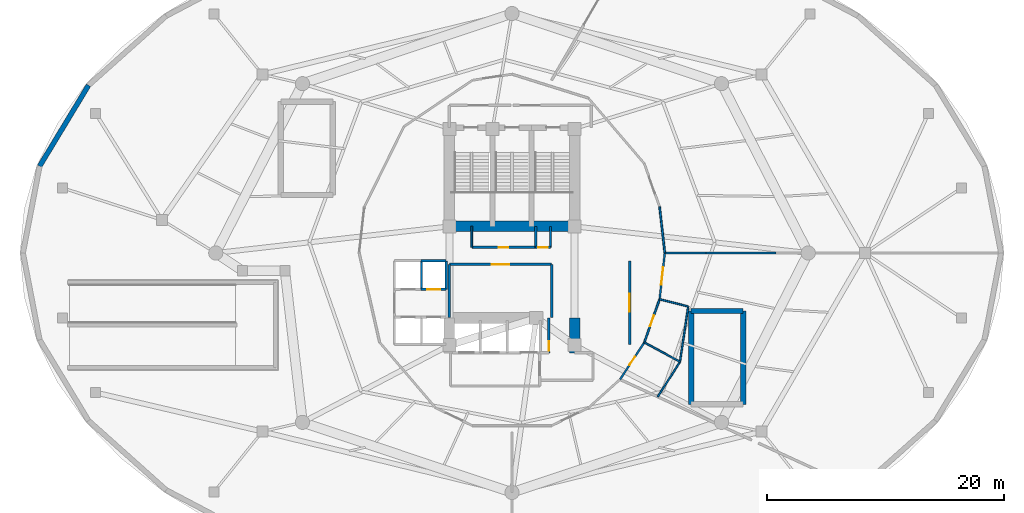
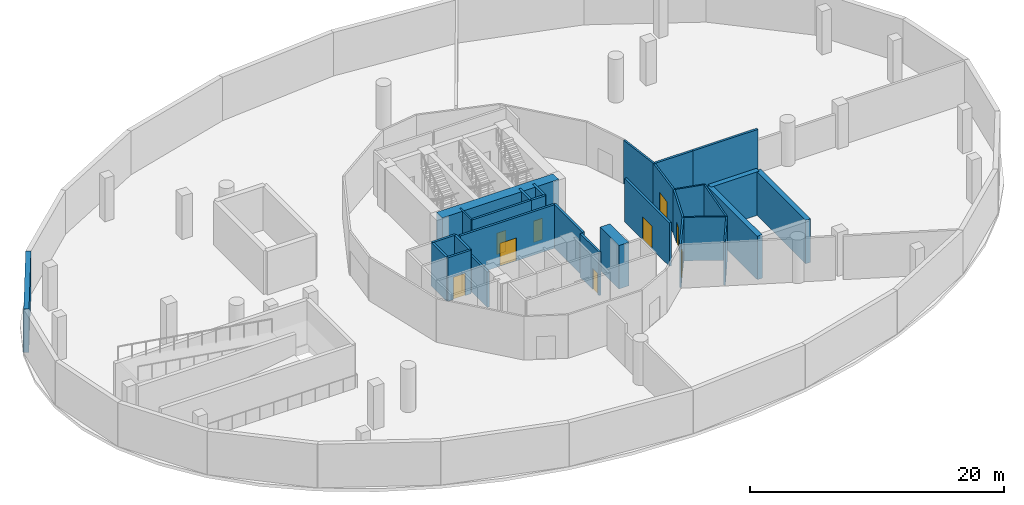
# One storey, part 4 of 8: 30 walls, 9 doors, 9 openings.
"""IFC4 building model written with IfcOpenShell, lengths in metres."""

from ifc_helpers import new_model, si_unit, direction, frame, frame_2d, origin, place, context, subcontext, project, spatial, rectangle, extrude, material, layer, layer_set, type_object, element, fill, save


model = new_model("IFC4")

# Units and contexts
model_context = context("Model", 3, precision=1e-05, world=origin(), true_north=direction((0.0, 1.0)))
body_context = subcontext(model_context, "Body", "Model", "MODEL_VIEW")
ifc_project = project(units=[si_unit("LENGTHUNIT", "METRE"), si_unit("AREAUNIT", "SQUARE_METRE"), si_unit("VOLUMEUNIT", "CUBIC_METRE"), si_unit("PLANEANGLEUNIT", "RADIAN"), si_unit("MASSUNIT", "GRAM", prefix="KILO")], contexts=[model_context])

# Site, building, storey
site_placement = place(None, origin())
site = spatial("IfcSite", under=ifc_project, at=site_placement, CompositionType="ELEMENT")
building_placement = place(site_placement, origin())
building = spatial("IfcBuilding", under=site, at=building_placement, Name="Nuhasar Tower", CompositionType="ELEMENT")
storey_placement = place(building_placement, frame((0.0, 0.0, -4.5)))
storey = spatial("IfcBuildingStorey", under=building, at=storey_placement, Name="B1", CompositionType="ELEMENT", Elevation=-4.5)

# Walls
ifc_material_1 = material(Name="Concrete C50/60", Category="concrete")
ifc_layer_1 = layer(ifc_material_1, 0.449951171875)
ifc_layer_set_1 = layer_set([ifc_layer_1], Name="Concrete C50/60")
wall_type_1 = type_object("IfcWallType", Name="WL-CORE-450", PredefinedType="SHEAR", material=ifc_layer_set_1)
wall_1_placement = place(storey_placement, frame((54.14990234375, 21.89990234375, 0.0), z_axis=(0.0, 0.0, 1.0), x_axis=(1.0, 0.0, 0.0)))
element("IfcWall", 1, at=wall_1_placement, inside=storey, type_object=wall_type_1, Name="B1 Stairwell Shear Wall ST-05-N", PredefinedType="SHEAR", context=body_context, shape_type="SweptSolid", body=[
    extrude(rectangle(XDim=4.400146484375, YDim=0.449951171875, at=frame_2d((2.2001953125, 0.0))), origin(), (0.0, 0.0, 1.0), 4.179931640625),
])
for number, where, z_axis, x_axis, name in (
    (2, (54.14990234375, 14.0, 0.0), (0.0, 0.0, 1.0), (0.0, 1.0, 0.0), "B1 Stairwell Shear Wall ST-05-W"),
    (3, (58.550048828125, 14.0, 0.0), (0.0, 0.0, 1.0), (0.0, 1.0, 0.0), "B1 Stairwell Shear Wall ST-05-E"),
):
    element("IfcWall", number, at=place(storey_placement, frame(where, z_axis=z_axis, x_axis=x_axis)), inside=storey, type_object=wall_type_1, Name=name, PredefinedType="SHEAR", context=body_context, shape_type="SweptSolid", body=[
        extrude(rectangle(XDim=7.89990234375, YDim=0.449951171875, at=frame_2d((3.949951171875, 0.0))), origin(), (0.0, 0.0, 1.0), 4.179931640625),
    ])
ifc_material_2 = material(Name="Concrete C80/95", Category="concrete")
ifc_layer_2 = layer(ifc_material_2, 0.89990234375)
ifc_layer_set_2 = layer_set([ifc_layer_2], Name="Concrete C80/95")
wall_type_2 = type_object("IfcWallType", Name="WL-CORE-900", PredefinedType="SHEAR", material=ifc_layer_set_2)
wall_2_placement = place(storey_placement, frame((44.300048828125, 18.35009765625, 0.0), z_axis=(0.0, 0.0, 1.0), x_axis=(0.0, 1.0, 0.0)))
element("IfcWall", 4, at=wall_2_placement, inside=storey, type_object=wall_type_2, Name="B1 Core Shear Wall CW-SE CW-900", PredefinedType="SHEAR", context=body_context, shape_type="SweptSolid", body=[
    extrude(rectangle(XDim=2.949951171875, YDim=0.89990234375, at=frame_2d((1.47509765625, 0.0))), origin(), (0.0, 0.0, 1.0), 4.179931640625),
])
wall_3_placement = place(storey_placement, frame((33.699951171875, 29.050048828125, 0.0), z_axis=(0.0, 0.0, 1.0), x_axis=(1.0, 0.0, 0.0)))
element("IfcWall", 5, at=wall_3_placement, inside=storey, type_object=wall_type_2, Name="B1 Core Shear Wall CW-N1 CW-900", PredefinedType="SHEAR", context=body_context, shape_type="SweptSolid", body=[
    extrude(rectangle(XDim=10.60009765625, YDim=0.89990234375, at=frame_2d((5.300048828125, 0.0))), origin(), (0.0, 0.0, 1.0), 4.179931640625),
])
ifc_material_3 = material(Name="Gypsum Board", Category="gypsum")
ifc_layer_3 = layer(ifc_material_3, 0.159912109375)
ifc_layer_set_3 = layer_set([ifc_layer_3], Name="Gypsum Board")
wall_type_3 = type_object("IfcWallType", Name="WL-CORR-160", PredefinedType="PARTITIONING", material=ifc_layer_set_3)
wall_4_placement = place(storey_placement, frame((51.919921875, 26.800048828125, 0.0), z_axis=(0.0, 0.0, 1.0), x_axis=(-0.111731247657, 0.993738460711, 0.0)))
element("IfcWall", 6, at=wall_4_placement, inside=storey, type_object=wall_type_3, Name="B1 Interior Partition CORR-00", PredefinedType="PARTITIONING", context=body_context, shape_type="SweptSolid", body=[
    extrude(rectangle(XDim=3.9375, YDim=0.159912109375, at=frame_2d((1.96875, 0.0))), origin(), (0.0, 0.0, 1.0), 4.179931640625),
])

# Wall, opening, door
wall_5_placement = place(storey_placement, frame((50.18896484375, 19.239990234375, 0.0), z_axis=(0.0, 0.0, 1.0), x_axis=(-0.548318837904, -0.836269365694, 0.0)))
wall_5 = element("IfcWall", 7, at=wall_5_placement, inside=storey, type_object=wall_type_3, Name="B1 Interior Partition CORR-42", PredefinedType="PARTITIONING", context=body_context, shape_type="SweptSolid", body=[
    extrude(rectangle(XDim=3.744140625, YDim=0.159912109375, at=frame_2d((1.8720703125, 0.0))), origin(), (0.0, 0.0, 1.0), 4.179931640625),
])
opening_1_placement = place(wall_5_placement, frame((1.447021484375, 0.0, 0.0)))
opening_1 = element("IfcOpeningElement", 8, at=opening_1_placement, cuts=wall_5, Name="Opening DB-01", PredefinedType="OPENING", context=body_context, shape_type="SweptSolid", body=[
    extrude(rectangle(XDim=0.85009765625, YDim=2.10009765625, at=frame_2d((0.425048828125, 1.050048828125))), frame((0.0, 0.08984375, 0.0), z_axis=(0.0, -1.0, 0.0), x_axis=(1.0, 0.0, 0.0)), (0.0, 0.0, 1.0), 0.179931640625),
])
ifc_material_4 = material(Name="Timber Oak", Category="wood")
door_type_1 = type_object("IfcDoorType", Name="DR-BATH-850", OperationType="NOTDEFINED", PredefinedType="DOOR", material=ifc_material_4)
door_1_placement = place(opening_1_placement, origin())
door_1 = element("IfcDoor", 9, at=door_1_placement, inside=storey, type_object=door_type_1, Name="B1 Staff Restroom Door", OperationType="SINGLE_SWING_RIGHT", OverallHeight=2.10009765625, OverallWidth=0.85009765625, PredefinedType="DOOR", context=body_context, shape_type="SweptSolid", body=[
    extrude(rectangle(XDim=0.85009765625, YDim=2.10009765625, at=frame_2d((0.425048828125, 1.050048828125))), frame((0.0, 0.02490234375, 0.0), z_axis=(0.0, -1.0, 0.0), x_axis=(1.0, 0.0, 0.0)), (0.0, 0.0, 1.0), 0.050048828125),
])
fill(opening_1, door_1)

wall_6_placement = place(storey_placement, frame((51.47998046875, 22.886962890625, 0.0), z_axis=(0.0, 0.0, 1.0), x_axis=(-0.333704620558, -0.942677689467, 0.0)))
wall_6 = element("IfcWall", 10, at=wall_6_placement, inside=storey, type_object=wall_type_3, Name="B1 Interior Partition CORR-44", PredefinedType="PARTITIONING", context=body_context, shape_type="SweptSolid", body=[
    extrude(rectangle(XDim=3.86865234375, YDim=0.159912109375, at=frame_2d((1.934326171875, 0.0))), origin(), (0.0, 0.0, 1.0), 4.179931640625),
])
opening_2_placement = place(wall_6_placement, frame((1.458984375, 0.0, 0.0)))
opening_2 = element("IfcOpeningElement", 11, at=opening_2_placement, cuts=wall_6, Name="Opening DA-01", PredefinedType="OPENING", context=body_context, shape_type="SweptSolid", body=[
    extrude(rectangle(XDim=0.949951171875, YDim=2.10009765625, at=frame_2d((0.47509765625, 1.050048828125))), frame((0.0, 0.08984375, 0.0), z_axis=(0.0, -1.0, 0.0), x_axis=(1.0, 0.0, 0.0)), (0.0, 0.0, 1.0), 0.179931640625),
])
door_type_2 = type_object("IfcDoorType", Name="DR-ACCWC-950", OperationType="NOTDEFINED", PredefinedType="DOOR", material=ifc_material_4)
door_2_placement = place(opening_2_placement, origin())
door_2 = element("IfcDoor", 12, at=door_2_placement, inside=storey, type_object=door_type_2, Name="B1 Staff Accessible WC Door", OperationType="SINGLE_SWING_LEFT", OverallHeight=2.10009765625, OverallWidth=0.949951171875, PredefinedType="DOOR", context=body_context, shape_type="SweptSolid", body=[
    extrude(rectangle(XDim=0.949951171875, YDim=2.10009765625, at=frame_2d((0.47509765625, 1.050048828125))), frame((0.0, 0.02490234375, 0.0), z_axis=(0.0, -1.0, 0.0), x_axis=(1.0, 0.0, 0.0)), (0.0, 0.0, 1.0), 0.050048828125),
])
fill(opening_2, door_2)

wall_7_placement = place(storey_placement, frame((51.919921875, 26.800048828125, 0.0), z_axis=(0.0, 0.0, 1.0), x_axis=(-0.111724363671, -0.99373923469, 0.0)))
wall_7 = element("IfcWall", 13, at=wall_7_placement, inside=storey, type_object=wall_type_3, Name="B1 Interior Partition CORR-46", PredefinedType="PARTITIONING", context=body_context, shape_type="SweptSolid", body=[
    extrude(rectangle(XDim=3.937744140625, YDim=0.159912109375, at=frame_2d((1.96875, 0.0))), origin(), (0.0, 0.0, 1.0), 4.179931640625),
])
opening_3_placement = place(wall_7_placement, frame((1.218994140625, 0.0, 0.0)))
opening_3 = element("IfcOpeningElement", 14, at=opening_3_placement, cuts=wall_7, Name="Opening DP-01", PredefinedType="OPENING", context=body_context, shape_type="SweptSolid", body=[
    extrude(rectangle(XDim=1.5, YDim=2.199951171875, at=frame_2d((0.75, 1.10009765625))), frame((0.0, 0.08984375, 0.0), z_axis=(0.0, -1.0, 0.0), x_axis=(1.0, 0.0, 0.0)), (0.0, 0.0, 1.0), 0.179931640625),
])
ifc_material_5 = material(Name="Steel S355", Category="steel")
door_type_3 = type_object("IfcDoorType", Name="DR-PLANT-FD120-1500", OperationType="DOUBLE_DOOR_SINGLE_SWING", PredefinedType="DOOR", material=ifc_material_5)
door_3_placement = place(opening_3_placement, origin())
door_3 = element("IfcDoor", 15, at=door_3_placement, inside=storey, type_object=door_type_3, Name="B1 Cycle Mobility Store Door", OperationType="DOUBLE_DOOR_SINGLE_SWING", OverallHeight=2.199951171875, OverallWidth=1.5, PredefinedType="DOOR", context=body_context, shape_type="SweptSolid", body=[
    extrude(rectangle(XDim=1.5, YDim=2.199951171875, at=frame_2d((0.75, 1.10009765625))), frame((0.0, 0.02490234375, 0.0), z_axis=(0.0, -1.0, 0.0), x_axis=(1.0, 0.0, 0.0)), (0.0, 0.0, 1.0), 0.050048828125),
])
fill(opening_3, door_3)

# Wall
ifc_layer_4 = layer(ifc_material_1, 0.419921875)
ifc_layer_set_4 = layer_set([ifc_layer_4], Name="Concrete C50/60")
wall_type_4 = type_object("IfcWallType", Name="WL-DIAPH-420", PredefinedType="SHEAR", material=ifc_layer_set_4)
wall_8_placement = place(storey_placement, frame((3.18994140625, 40.97509765625, 0.0), z_axis=(0.0, 0.0, 1.0), x_axis=(-0.517122636798, -0.85591131463, 0.0)))
element("IfcWall", 16, at=wall_8_placement, inside=storey, type_object=wall_type_4, Name="B1 Perimeter Diaphragm Retaining Wall 11 DW-420", PredefinedType="SHEAR", context=body_context, shape_type="SweptSolid", body=[
    extrude(rectangle(XDim=7.98828125, YDim=0.419921875, at=frame_2d((3.994140625, 0.0))), origin(), (0.0, 0.0, 1.0), 4.179931640625),
])

# Wall, opening, door
ifc_material_6 = material(Name="Concrete C45/55", Category="concrete")
ifc_layer_5 = layer(ifc_material_6, 0.199951171875)
ifc_layer_set_5 = layer_set([ifc_layer_5], Name="Concrete C45/55")
wall_type_5 = type_object("IfcWallType", Name="WL-LOBBY-200", PredefinedType="SOLIDWALL", material=ifc_layer_set_5)
wall_9_placement = place(storey_placement, frame((48.949951171875, 19.050048828125, 0.0), z_axis=(0.0, 0.0, 1.0), x_axis=(0.0, 1.0, 0.0)))
wall_9 = element("IfcWall", 17, at=wall_9_placement, inside=storey, type_object=wall_type_5, Name="B1 Interior Partition MEP-BE-E", PredefinedType="SOLIDWALL", context=body_context, shape_type="SweptSolid", body=[
    extrude(rectangle(XDim=7.070068359375, YDim=0.199951171875, at=frame_2d((3.53515625, 0.0))), origin(), (0.0, 0.0, 1.0), 4.179931640625),
])
opening_4_placement = place(wall_9_placement, frame((2.784912109375, 0.0, 0.0)))
opening_4 = element("IfcOpeningElement", 18, at=opening_4_placement, cuts=wall_9, Name="Opening DP-01", PredefinedType="OPENING", context=body_context, shape_type="SweptSolid", body=[
    extrude(rectangle(XDim=1.5, YDim=2.199951171875, at=frame_2d((0.75, 1.10009765625))), frame((0.0, 0.10986328125, 0.0), z_axis=(0.0, -1.0, 0.0), x_axis=(1.0, 0.0, 0.0)), (0.0, 0.0, 1.0), 0.219970703125),
])
door_4_placement = place(opening_4_placement, origin())
door_4 = element("IfcDoor", 19, at=door_4_placement, inside=storey, type_object=door_type_3, Name="B1 Pump Room Door", OperationType="DOUBLE_DOOR_SINGLE_SWING", OverallHeight=2.199951171875, OverallWidth=1.5, PredefinedType="DOOR", context=body_context, shape_type="SweptSolid", body=[
    extrude(rectangle(XDim=1.5, YDim=2.199951171875, at=frame_2d((0.75, 1.10009765625))), frame((0.0, 0.02490234375, 0.0), z_axis=(0.0, -1.0, 0.0), x_axis=(1.0, 0.0, 0.0)), (0.0, 0.0, 1.0), 0.050048828125),
])
fill(opening_4, door_4)

# Walls
wall_10_placement = place(storey_placement, frame((33.699951171875, 21.35009765625, 0.0), z_axis=(0.0, 0.0, 1.0), x_axis=(0.0, 1.0, 0.0)))
element("IfcWall", 20, at=wall_10_placement, inside=storey, type_object=wall_type_5, Name="B1 Interior Partition BSVC-W", PredefinedType="SOLIDWALL", context=body_context, shape_type="SweptSolid", body=[
    extrude(rectangle(XDim=4.489990234375, YDim=0.199951171875, at=frame_2d((2.2451171875, 0.0))), origin(), (0.0, 0.0, 1.0), 3.39990234375),
])
wall_11_placement = place(storey_placement, frame((42.35009765625, 21.35009765625, 0.0), z_axis=(0.0, 0.0, 1.0), x_axis=(0.0, 1.0, 0.0)))
element("IfcWall", 21, at=wall_11_placement, inside=storey, type_object=wall_type_5, Name="B1 Interior Partition BSVC-E", PredefinedType="SOLIDWALL", context=body_context, shape_type="SweptSolid", body=[
    extrude(rectangle(XDim=4.489990234375, YDim=0.199951171875, at=frame_2d((2.2451171875, 0.0))), origin(), (0.0, 0.0, 1.0), 4.179931640625),
])

# Wall, opening, door
wall_12_placement = place(storey_placement, frame((42.35009765625, 25.840087890625, 0.0), z_axis=(0.0, 0.0, 1.0), x_axis=(-1.0, 0.0, 0.0)))
wall_12 = element("IfcWall", 22, at=wall_12_placement, inside=storey, type_object=wall_type_5, Name="B1 Interior Partition BSVC-N", PredefinedType="SOLIDWALL", context=body_context, shape_type="SweptSolid", body=[
    extrude(rectangle(XDim=8.650146484375, YDim=0.199951171875, at=frame_2d((4.3251953125, 0.0))), origin(), (0.0, 0.0, 1.0), 4.179931640625),
])
opening_5_placement = place(wall_12_placement, frame((3.574951171875, 0.0, 0.0)))
opening_5 = element("IfcOpeningElement", 23, at=opening_5_placement, cuts=wall_12, Name="Opening DP-01", PredefinedType="OPENING", context=body_context, shape_type="SweptSolid", body=[
    extrude(rectangle(XDim=1.5, YDim=2.199951171875, at=frame_2d((0.75, 1.10009765625))), frame((0.0, 0.10986328125, 0.0), z_axis=(0.0, -1.0, 0.0), x_axis=(1.0, 0.0, 0.0)), (0.0, 0.0, 1.0), 0.219970703125),
])
door_5_placement = place(opening_5_placement, origin())
door_5 = element("IfcDoor", 24, at=door_5_placement, inside=storey, type_object=door_type_3, Name="B1 Switchroom Door", OperationType="DOUBLE_DOOR_SINGLE_SWING", OverallHeight=2.199951171875, OverallWidth=1.5, PredefinedType="DOOR", context=body_context, shape_type="SweptSolid", body=[
    extrude(rectangle(XDim=1.5, YDim=2.199951171875, at=frame_2d((0.75, 1.10009765625))), frame((0.0, 0.02490234375, 0.0), z_axis=(0.0, -1.0, 0.0), x_axis=(1.0, 0.0, 0.0)), (0.0, 0.0, 1.0), 0.050048828125),
])
fill(opening_5, door_5)

wall_13_placement = place(storey_placement, frame((35.60009765625, 27.280029296875, 0.0), z_axis=(0.0, 0.0, 1.0), x_axis=(1.0, 0.0, 0.0)))
wall_13 = element("IfcWall", 25, at=wall_13_placement, inside=storey, type_object=wall_type_5, Name="B1 Interior Partition BSVN-S", PredefinedType="SOLIDWALL", context=body_context, shape_type="SweptSolid", body=[
    extrude(rectangle(XDim=5.39990234375, YDim=0.199951171875, at=frame_2d((2.699951171875, 0.0))), origin(), (0.0, 0.0, 1.0), 4.179931640625),
])
opening_6_placement = place(wall_13_placement, frame((2.300048828125, 0.0, 0.0)))
opening_6 = element("IfcOpeningElement", 26, at=opening_6_placement, cuts=wall_13, Name="Opening DM-01", PredefinedType="OPENING", context=body_context, shape_type="SweptSolid", body=[
    extrude(rectangle(XDim=0.800048828125, YDim=2.050048828125, at=frame_2d((0.39990234375, 1.02490234375))), frame((0.0, 0.10986328125, 0.0), z_axis=(0.0, -1.0, 0.0), x_axis=(1.0, 0.0, 0.0)), (0.0, 0.0, 1.0), 0.219970703125),
])
door_type_4 = type_object("IfcDoorType", Name="DR-RISER-FD60-800", OperationType="NOTDEFINED", PredefinedType="DOOR", material=ifc_material_5)
door_6_placement = place(opening_6_placement, origin())
door_6 = element("IfcDoor", 27, at=door_6_placement, inside=storey, type_object=door_type_4, Name="B1 Meter Riser Door", OperationType="SINGLE_SWING_LEFT", OverallHeight=2.050048828125, OverallWidth=0.800048828125, PredefinedType="DOOR", context=body_context, shape_type="SweptSolid", body=[
    extrude(rectangle(XDim=0.800048828125, YDim=2.050048828125, at=frame_2d((0.39990234375, 1.02490234375))), frame((0.0, 0.02490234375, 0.0), z_axis=(0.0, -1.0, 0.0), x_axis=(1.0, 0.0, 0.0)), (0.0, 0.0, 1.0), 0.050048828125),
])
fill(opening_6, door_6)

# Walls
wall_14_placement = place(storey_placement, frame((51.919921875, 26.800048828125, 0.0), z_axis=(0.0, 0.0, 1.0), x_axis=(1.0, 0.0, 0.0)))
element("IfcWall", 28, at=wall_14_placement, inside=storey, type_object=wall_type_5, Name="B1 Interior Partition BRAD-00-S1", PredefinedType="SOLIDWALL", context=body_context, shape_type="SweptSolid", body=[
    extrude(rectangle(XDim=3.47998046875, YDim=0.199951171875, at=frame_2d((1.739990234375, 0.0))), origin(), (0.0, 0.0, 1.0), 4.179931640625),
])
wall_15_placement = place(storey_placement, frame((55.39990234375, 26.800048828125, 0.0), z_axis=(0.0, 0.0, 1.0), x_axis=(1.0, 0.0, 0.0)))
element("IfcWall", 29, at=wall_15_placement, inside=storey, type_object=wall_type_5, Name="B1 Interior Partition BRAD-00-S2", PredefinedType="SOLIDWALL", context=body_context, shape_type="SweptSolid", body=[
    extrude(rectangle(XDim=5.9169921875, YDim=0.199951171875, at=frame_2d((2.95849609375, 0.0))), origin(), (0.0, 0.0, 1.0), 4.179931640625),
])
ifc_layer_6 = layer(ifc_material_6, 0.199951171875)
ifc_layer_set_6 = layer_set([ifc_layer_6], Name="Concrete C45/55")
wall_type_6 = type_object("IfcWallType", Name="WL-SHAFT-200", PredefinedType="SOLIDWALL", material=ifc_layer_set_6)
for number, where, z_axis, x_axis, name in (
    (30, (41.0, 27.280029296875, 0.0), (0.0, 0.0, 1.0), (0.0, 1.0, 0.0), "B1 Interior Partition RSRN-W"),
    (31, (42.260009765625, 27.280029296875, 0.0), (0.0, 0.0, 1.0), (0.0, 1.0, 0.0), "B1 Interior Partition RSRN-E"),
):
    element("IfcWall", number, at=place(storey_placement, frame(where, z_axis=z_axis, x_axis=x_axis)), inside=storey, type_object=wall_type_6, Name=name, PredefinedType="SOLIDWALL", context=body_context, shape_type="SweptSolid", body=[
        extrude(rectangle(XDim=1.77001953125, YDim=0.199951171875, at=frame_2d((0.885009765625, 0.0))), origin(), (0.0, 0.0, 1.0), 4.179931640625),
    ])

# Wall, opening, door
wall_16_placement = place(storey_placement, frame((41.0, 27.280029296875, 0.0), z_axis=(0.0, 0.0, 1.0), x_axis=(1.0, 0.0, 0.0)))
wall_16 = element("IfcWall", 32, at=wall_16_placement, inside=storey, type_object=wall_type_6, Name="B1 Interior Partition RSRN-S", PredefinedType="SOLIDWALL", context=body_context, shape_type="SweptSolid", body=[
    extrude(rectangle(XDim=1.260009765625, YDim=0.199951171875, at=frame_2d((0.6298828125, 0.0))), origin(), (0.0, 0.0, 1.0), 4.179931640625),
])
opening_7_placement = place(wall_16_placement, frame((0.22998046875, 0.0, 0.0)))
opening_7 = element("IfcOpeningElement", 33, at=opening_7_placement, cuts=wall_16, Name="Opening DM-01", PredefinedType="OPENING", context=body_context, shape_type="SweptSolid", body=[
    extrude(rectangle(XDim=0.800048828125, YDim=2.050048828125, at=frame_2d((0.39990234375, 1.02490234375))), frame((0.0, 0.10986328125, 0.0), z_axis=(0.0, -1.0, 0.0), x_axis=(1.0, 0.0, 0.0)), (0.0, 0.0, 1.0), 0.219970703125),
])
door_7_placement = place(opening_7_placement, origin())
door_7 = element("IfcDoor", 34, at=door_7_placement, inside=storey, type_object=door_type_4, Name="B1 North Smoke Riser Door", OperationType="SINGLE_SWING_RIGHT", OverallHeight=2.050048828125, OverallWidth=0.800048828125, PredefinedType="DOOR", context=body_context, shape_type="SweptSolid", body=[
    extrude(rectangle(XDim=0.800048828125, YDim=2.050048828125, at=frame_2d((0.39990234375, 1.02490234375))), frame((0.0, 0.02490234375, 0.0), z_axis=(0.0, -1.0, 0.0), x_axis=(1.0, 0.0, 0.0)), (0.0, 0.0, 1.0), 0.050048828125),
])
fill(opening_7, door_7)

# Wall
wall_17_placement = place(storey_placement, frame((31.35009765625, 23.719970703125, 0.0), z_axis=(0.0, 0.0, 1.0), x_axis=(0.0, 1.0, 0.0)))
element("IfcWall", 35, at=wall_17_placement, inside=storey, type_object=wall_type_6, Name="B1 Interior Partition SHF-PL-L01-E", PredefinedType="SOLIDWALL", context=body_context, shape_type="SweptSolid", body=[
    extrude(rectangle(XDim=2.409912109375, YDim=0.199951171875, at=frame_2d((1.205078125, 0.0))), origin(), (0.0, 0.0, 1.0), 4.179931640625),
])

# Wall, opening, door
wall_18_placement = place(storey_placement, frame((31.320068359375, 23.719970703125, 0.0), z_axis=(0.0, 0.0, 1.0), x_axis=(1.0, 0.0, 0.0)))
wall_18 = element("IfcWall", 36, at=wall_18_placement, inside=storey, type_object=wall_type_6, Name="B1 Interior Partition SHF-PL-L02-S", PredefinedType="SOLIDWALL", context=body_context, shape_type="SweptSolid", body=[
    extrude(rectangle(XDim=2.10986328125, YDim=0.199951171875, at=frame_2d((1.054931640625, 0.0))), origin(), (0.0, 0.0, 1.0), 4.179931640625),
])
opening_8_placement = place(wall_18_placement, frame((0.5048828125, 0.0, 0.0)))
opening_8 = element("IfcOpeningElement", 37, at=opening_8_placement, cuts=wall_18, Name="Opening LD-L02", PredefinedType="OPENING", context=body_context, shape_type="SweptSolid", body=[
    extrude(rectangle(XDim=1.10009765625, YDim=2.14990234375, at=frame_2d((0.550048828125, 1.074951171875))), frame((0.0, 0.10986328125, 0.0), z_axis=(0.0, -1.0, 0.0), x_axis=(1.0, 0.0, 0.0)), (0.0, 0.0, 1.0), 0.219970703125),
])
ifc_material_7 = material(Name="Stainless Steel 316L", Category="steel")
door_type_5 = type_object("IfcDoorType", Name="LD-PAX-1100", OperationType="DOUBLE_DOOR_SLIDING", PredefinedType="DOOR", material=ifc_material_7)
door_8_placement = place(opening_8_placement, origin())
door_8 = element("IfcDoor", 38, at=door_8_placement, inside=storey, type_object=door_type_5, Name="B1 Lift Landing Door PL-L02", OperationType="DOUBLE_DOOR_SLIDING", OverallHeight=2.14990234375, OverallWidth=1.10009765625, PredefinedType="DOOR", context=body_context, shape_type="SweptSolid", body=[
    extrude(rectangle(XDim=1.10009765625, YDim=2.14990234375, at=frame_2d((0.550048828125, 1.074951171875))), frame((0.0, 0.02490234375, 0.0), z_axis=(0.0, -1.0, 0.0), x_axis=(1.0, 0.0, 0.0)), (0.0, 0.0, 1.0), 0.050048828125),
])
fill(opening_8, door_8)

# Walls
wall_19_placement = place(storey_placement, frame((31.320068359375, 26.1298828125, 0.0), z_axis=(0.0, 0.0, 1.0), x_axis=(1.0, 0.0, 0.0)))
element("IfcWall", 39, at=wall_19_placement, inside=storey, type_object=wall_type_6, Name="B1 Interior Partition SHF-PL-L02-N", PredefinedType="SOLIDWALL", context=body_context, shape_type="SweptSolid", body=[
    extrude(rectangle(XDim=2.10986328125, YDim=0.199951171875, at=frame_2d((1.054931640625, 0.0))), origin(), (0.0, 0.0, 1.0), 4.179931640625),
])
wall_20_placement = place(storey_placement, frame((33.429931640625, 23.719970703125, 0.0), z_axis=(0.0, 0.0, 1.0), x_axis=(0.0, 1.0, 0.0)))
element("IfcWall", 40, at=wall_20_placement, inside=storey, type_object=wall_type_6, Name="B1 Interior Partition SHF-PL-L02-E", PredefinedType="SOLIDWALL", context=body_context, shape_type="SweptSolid", body=[
    extrude(rectangle(XDim=2.409912109375, YDim=0.199951171875, at=frame_2d((1.205078125, 0.0))), origin(), (0.0, 0.0, 1.0), 4.179931640625),
])

# Wall, opening, door
wall_21_placement = place(storey_placement, frame((42.1201171875, 18.35009765625, 0.0), z_axis=(0.0, 0.0, 1.0), x_axis=(0.0, 1.0, 0.0)))
wall_21 = element("IfcWall", 41, at=wall_21_placement, inside=storey, type_object=wall_type_6, Name="B1 Interior Partition RSR-E", PredefinedType="SOLIDWALL", context=body_context, shape_type="SweptSolid", body=[
    extrude(rectangle(XDim=2.949951171875, YDim=0.199951171875, at=frame_2d((1.47509765625, 0.0))), origin(), (0.0, 0.0, 1.0), 4.179931640625),
])
opening_9_placement = place(wall_21_placement, frame((0.199951171875, 0.0, 0.0)))
opening_9 = element("IfcOpeningElement", 42, at=opening_9_placement, cuts=wall_21, Name="Opening DM-01", PredefinedType="OPENING", context=body_context, shape_type="SweptSolid", body=[
    extrude(rectangle(XDim=0.800048828125, YDim=2.050048828125, at=frame_2d((0.39990234375, 1.02490234375))), frame((0.0, 0.10986328125, 0.0), z_axis=(0.0, -1.0, 0.0), x_axis=(1.0, 0.0, 0.0)), (0.0, 0.0, 1.0), 0.219970703125),
])
door_9_placement = place(opening_9_placement, origin())
door_9 = element("IfcDoor", 43, at=door_9_placement, inside=storey, type_object=door_type_4, Name="B1 MEP Riser Access Door", OperationType="SINGLE_SWING_LEFT", OverallHeight=2.050048828125, OverallWidth=0.800048828125, PredefinedType="DOOR", context=body_context, shape_type="SweptSolid", body=[
    extrude(rectangle(XDim=0.800048828125, YDim=2.050048828125, at=frame_2d((0.39990234375, 1.02490234375))), frame((0.0, 0.02490234375, 0.0), z_axis=(0.0, -1.0, 0.0), x_axis=(1.0, 0.0, 0.0)), (0.0, 0.0, 1.0), 0.050048828125),
])
fill(opening_9, door_9)

# Walls
ifc_material_8 = material(Name="Concrete C40/50 precast", Category="concrete")
ifc_layer_7 = layer(ifc_material_8, 0.139892578125)
ifc_layer_set_7 = layer_set([ifc_layer_7], Name="Concrete C40/50 precast")
wall_type_7 = type_object("IfcWallType", Name="WL-WET-140", PredefinedType="PARTITIONING", material=ifc_layer_set_7)
wall_22_placement = place(storey_placement, frame((35.60009765625, 27.280029296875, 0.0), z_axis=(0.0, 0.0, 1.0), x_axis=(0.0, 1.0, 0.0)))
element("IfcWall", 44, at=wall_22_placement, inside=storey, type_object=wall_type_7, Name="B1 Interior Partition CSVC-W", PredefinedType="PARTITIONING", context=body_context, shape_type="SweptSolid", body=[
    extrude(rectangle(XDim=1.77001953125, YDim=0.139892578125, at=frame_2d((0.885009765625, 0.0))), origin(), (0.0, 0.0, 1.0), 4.179931640625),
])
wall_23_placement = place(storey_placement, frame((50.18896484375, 19.239990234375, 0.0), z_axis=(0.0, 0.0, 1.0), x_axis=(0.878392721738, -0.477939563541, 0.0)))
element("IfcWall", 45, at=wall_23_placement, inside=storey, type_object=wall_type_7, Name="B1 Interior Partition BWC-DIV1", PredefinedType="PARTITIONING", context=body_context, shape_type="SweptSolid", body=[
    extrude(rectangle(XDim=3.43115234375, YDim=0.139892578125, at=frame_2d((1.715576171875, 0.0))), origin(), (0.0, 0.0, 1.0), 4.179931640625),
])
wall_24_placement = place(storey_placement, frame((51.47998046875, 22.886962890625, 0.0), z_axis=(0.0, 0.0, 1.0), x_axis=(0.969564374521, -0.244836524357, 0.0)))
element("IfcWall", 46, at=wall_24_placement, inside=storey, type_object=wall_type_7, Name="B1 Interior Partition BWC-DIV2", PredefinedType="PARTITIONING", context=body_context, shape_type="SweptSolid", body=[
    extrude(rectangle(XDim=2.495849609375, YDim=0.139892578125, at=frame_2d((1.248046875, 0.0))), origin(), (0.0, 0.0, 1.0), 4.179931640625),
])
wall_25_placement = place(storey_placement, frame((51.322021484375, 14.64208984375, 0.0), z_axis=(0.0, 0.0, 1.0), x_axis=(0.53656900511, 0.84385644677, 0.0)))
element("IfcWall", 47, at=wall_25_placement, inside=storey, type_object=wall_type_7, Name="B1 Interior Partition BWC-BACK-42", PredefinedType="PARTITIONING", context=body_context, shape_type="SweptSolid", body=[
    extrude(rectangle(XDim=3.50537109375, YDim=0.139892578125, at=frame_2d((1.752685546875, 0.0))), origin(), (0.0, 0.0, 1.0), 4.179931640625),
])
wall_26_placement = place(storey_placement, frame((53.202880859375, 17.60009765625, 0.0), z_axis=(0.0, 0.0, 1.0), x_axis=(0.147441370436, 0.989070797407, 0.0)))
element("IfcWall", 48, at=wall_26_placement, inside=storey, type_object=wall_type_7, Name="B1 Interior Partition BWC-BACK-44", PredefinedType="PARTITIONING", context=body_context, shape_type="SweptSolid", body=[
    extrude(rectangle(XDim=4.7275390625, YDim=0.139892578125, at=frame_2d((2.36376953125, 0.0))), origin(), (0.0, 0.0, 1.0), 4.179931640625),
])

save(model, "model.ifc")
